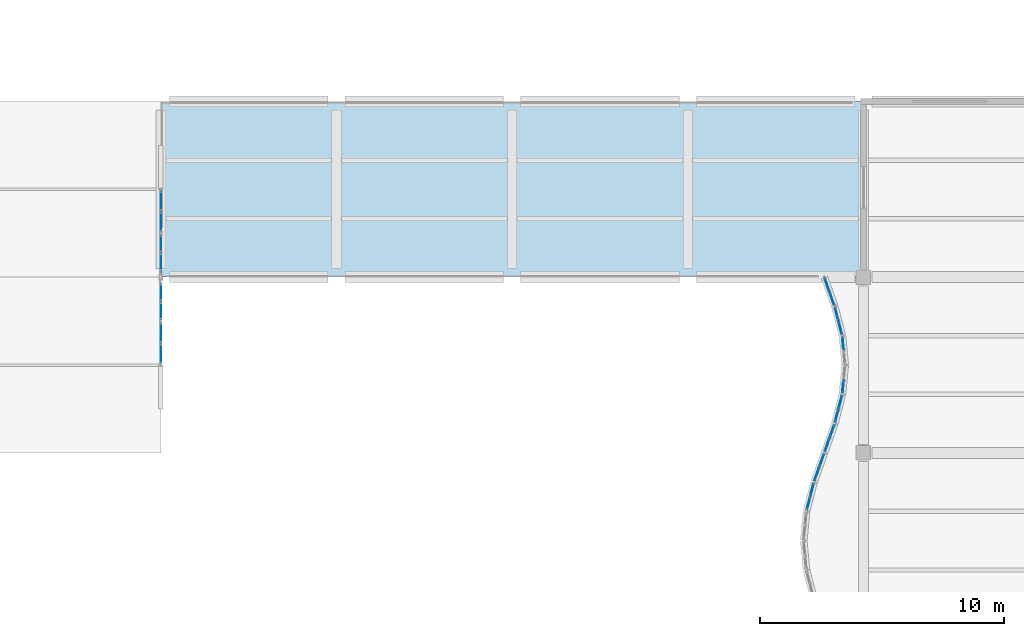
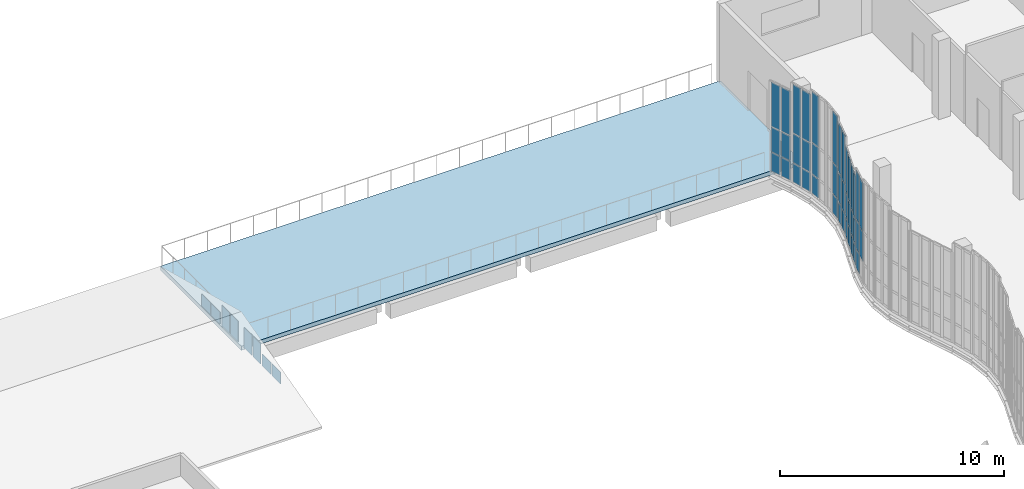
# One storey, part 74 of 105: 49 plates, 1 slab, 12 elements without a shape of their own.
"""IFC4 building model written with IfcOpenShell, lengths in metres."""

from ifc_helpers import new_model, si_unit, direction, frame, origin, origin_2d, place, context, subcontext, project, spatial, polyline, rectangle, outline, extrude, material, layer, layer_set, type_object, element, aggregate, save


model = new_model("IFC4")

# Units and contexts
model_context = context("Model", 3, precision=1e-05, world=origin(), true_north=direction((0.0, 1.0)))
body_context = subcontext(model_context, "Body", "Model", "MODEL_VIEW")
ifc_project = project(units=[si_unit("LENGTHUNIT", "METRE"), si_unit("AREAUNIT", "SQUARE_METRE"), si_unit("VOLUMEUNIT", "CUBIC_METRE"), si_unit("PLANEANGLEUNIT", "RADIAN"), si_unit("MASSUNIT", "GRAM", prefix="KILO"), si_unit("THERMODYNAMICTEMPERATUREUNIT", "KELVIN"), si_unit("POWERUNIT", "WATT")], contexts=[model_context])

# Site, building, storey
site_placement = place(None, origin())
site = spatial("IfcSite", under=ifc_project, at=site_placement, CompositionType="ELEMENT")
building_placement = place(site_placement, origin())
building = spatial("IfcBuilding", under=site, at=building_placement, Name="Kaldorven Railside Theatre", CompositionType="ELEMENT")
storey_placement = place(building_placement, frame((0.0, 0.0, 9.89990234375)))
storey = spatial("IfcBuildingStorey", under=building, at=storey_placement, Name="L02", CompositionType="ELEMENT", Elevation=9.89990234375)

# Curtain wall, plates
ifc_material_1 = material(Name="Low-E laminated solar-control glass", Category="glass")
ifc_layer_1 = layer(ifc_material_1, 0.159912109375, Name="Low-E laminated solar-control glass")
ifc_layer_set_1 = layer_set([ifc_layer_1], Name="Low-E laminated solar-control glass")
curtain_wall_type_1 = type_object("IfcCurtainWallType", Name="CWT-23", PredefinedType="USERDEFINED", material=ifc_layer_set_1)
curtain_wall_1_placement = place(storey_placement, origin())
curtain_wall_1 = element("IfcCurtainWall", 1, at=curtain_wall_1_placement, inside=storey, type_object=curtain_wall_type_1, Name="Sinusoidal Fluted Curtain Wall CW-L02-W17", ObjectType="FLUTED GLAZING", PredefinedType="USERDEFINED")
ifc_layer_2 = layer(ifc_material_1, 0.035888671875, Name="Low-E laminated solar-control glass")
ifc_layer_set_2 = layer_set([ifc_layer_2], Name="Low-E laminated solar-control glass")
plate_type_1 = type_object("IfcPlateType", Name="CWP-CREST36", PredefinedType="CURTAIN_PANEL", material=ifc_layer_set_2)
plate_1_placement = place(storey_placement, frame((70.546630859375, 60.3193359375, 1.1298828125), z_axis=(0.0, 0.0, 1.0), x_axis=(0.250953760326, 0.967999075505, 0.0)))
plate_1 = element("IfcPlate", 2, at=plate_1_placement, type_object=plate_type_1, Name="CW-L02-W17 panel 1.2", PredefinedType="CURTAIN_PANEL", context=body_context, shape_type="SweptSolid", body=[
    extrude(rectangle(XDim=0.499755859375, YDim=0.035888671875, at=origin_2d()), origin(), (0.0, 0.0, 1.0), 1.550048828125),
])
plate_2_placement = place(storey_placement, frame((70.546630859375, 60.3193359375, 2.739990234375), z_axis=(0.0, 0.0, 1.0), x_axis=(0.250953760326, 0.967999075505, 0.0)))
plate_2 = element("IfcPlate", 3, at=plate_2_placement, type_object=plate_type_1, Name="CW-L02-W17 panel 1.3", PredefinedType="CURTAIN_PANEL", context=body_context, shape_type="SweptSolid", body=[
    extrude(rectangle(XDim=0.499755859375, YDim=0.035888671875, at=origin_2d()), origin(), (0.0, 0.0, 1.0), 2.6201171875),
])
plate_3_placement = place(storey_placement, frame((70.692138671875, 60.880615234375, 0.06005859375), z_axis=(0.0, 0.0, 1.0), x_axis=(0.250953760326, 0.967999075505, 0.0)))
plate_3 = element("IfcPlate", 4, at=plate_3_placement, type_object=plate_type_1, Name="CW-L02-W17 panel 2.1", PredefinedType="CURTAIN_PANEL", context=body_context, shape_type="SweptSolid", body=[
    extrude(rectangle(XDim=0.499755859375, YDim=0.035888671875, at=origin_2d()), origin(), (0.0, 0.0, 1.0), 1.010009765625),
])
plate_4_placement = place(storey_placement, frame((70.692138671875, 60.880615234375, 1.1298828125), z_axis=(0.0, 0.0, 1.0), x_axis=(0.250953760326, 0.967999075505, 0.0)))
plate_4 = element("IfcPlate", 5, at=plate_4_placement, type_object=plate_type_1, Name="CW-L02-W17 panel 2.2", PredefinedType="CURTAIN_PANEL", context=body_context, shape_type="SweptSolid", body=[
    extrude(rectangle(XDim=0.499755859375, YDim=0.035888671875, at=origin_2d()), origin(), (0.0, 0.0, 1.0), 1.550048828125),
])
plate_5_placement = place(storey_placement, frame((70.692138671875, 60.880615234375, 2.739990234375), z_axis=(0.0, 0.0, 1.0), x_axis=(0.250953760326, 0.967999075505, 0.0)))
plate_5 = element("IfcPlate", 6, at=plate_5_placement, type_object=plate_type_1, Name="CW-L02-W17 panel 2.3", PredefinedType="CURTAIN_PANEL", context=body_context, shape_type="SweptSolid", body=[
    extrude(rectangle(XDim=0.499755859375, YDim=0.035888671875, at=origin_2d()), origin(), (0.0, 0.0, 1.0), 2.6201171875),
])
aggregate(curtain_wall_1, [plate_1, plate_2, plate_3, plate_4, plate_5])

ifc_layer_3 = layer(ifc_material_1, 0.159912109375, Name="Low-E laminated solar-control glass")
ifc_layer_set_3 = layer_set([ifc_layer_3], Name="Low-E laminated solar-control glass")
curtain_wall_type_2 = type_object("IfcCurtainWallType", Name="CWT-22", PredefinedType="USERDEFINED", material=ifc_layer_set_3)
curtain_wall_2_placement = place(storey_placement, origin())
curtain_wall_2 = element("IfcCurtainWall", 7, at=curtain_wall_2_placement, inside=storey, type_object=curtain_wall_type_2, Name="Sinusoidal Fluted Curtain Wall CW-L02-W18", ObjectType="FLUTED GLAZING", PredefinedType="USERDEFINED")
plate_6_placement = place(storey_placement, frame((70.887939453125, 61.518798828125, 0.06005859375), z_axis=(0.0, 0.0, 1.0), x_axis=(0.33384714225, 0.942627225159, 0.0)))
plate_6 = element("IfcPlate", 8, at=plate_6_placement, type_object=plate_type_1, Name="CW-L02-W18 panel 1.1", PredefinedType="CURTAIN_PANEL", context=body_context, shape_type="SweptSolid", body=[
    extrude(rectangle(XDim=0.5166015625, YDim=0.035888671875, at=origin_2d()), origin(), (0.0, 0.0, 1.0), 1.010009765625),
])
plate_7_placement = place(storey_placement, frame((70.887939453125, 61.518798828125, 1.130126953125), z_axis=(0.0, 0.0, 1.0), x_axis=(0.33384714225, 0.942627225159, 0.0)))
plate_7 = element("IfcPlate", 9, at=plate_7_placement, type_object=plate_type_1, Name="CW-L02-W18 panel 1.2", PredefinedType="CURTAIN_PANEL", context=body_context, shape_type="SweptSolid", body=[
    extrude(rectangle(XDim=0.5166015625, YDim=0.035888671875, at=origin_2d()), origin(), (0.0, 0.0, 1.0), 1.31494140625),
])
plate_8_placement = place(storey_placement, frame((70.887939453125, 61.518798828125, 2.5048828125), z_axis=(0.0, 0.0, 1.0), x_axis=(0.33384714225, 0.942627225159, 0.0)))
plate_8 = element("IfcPlate", 10, at=plate_8_placement, type_object=plate_type_1, Name="CW-L02-W18 panel 1.3", PredefinedType="CURTAIN_PANEL", context=body_context, shape_type="SweptSolid", body=[
    extrude(rectangle(XDim=0.5166015625, YDim=0.035888671875, at=origin_2d()), origin(), (0.0, 0.0, 1.0), 2.385009765625),
])
plate_9_placement = place(storey_placement, frame((71.087158203125, 62.0810546875, 0.06005859375), z_axis=(0.0, 0.0, 1.0), x_axis=(0.33384714225, 0.942627225159, 0.0)))
plate_9 = element("IfcPlate", 11, at=plate_9_placement, type_object=plate_type_1, Name="CW-L02-W18 panel 2.1", PredefinedType="CURTAIN_PANEL", context=body_context, shape_type="SweptSolid", body=[
    extrude(rectangle(XDim=0.5166015625, YDim=0.035888671875, at=origin_2d()), origin(), (0.0, 0.0, 1.0), 1.010009765625),
])
plate_10_placement = place(storey_placement, frame((71.087158203125, 62.0810546875, 1.130126953125), z_axis=(0.0, 0.0, 1.0), x_axis=(0.33384714225, 0.942627225159, 0.0)))
plate_10 = element("IfcPlate", 12, at=plate_10_placement, type_object=plate_type_1, Name="CW-L02-W18 panel 2.2", PredefinedType="CURTAIN_PANEL", context=body_context, shape_type="SweptSolid", body=[
    extrude(rectangle(XDim=0.5166015625, YDim=0.035888671875, at=origin_2d()), origin(), (0.0, 0.0, 1.0), 1.31494140625),
])
plate_11_placement = place(storey_placement, frame((71.087158203125, 62.0810546875, 2.5048828125), z_axis=(0.0, 0.0, 1.0), x_axis=(0.33384714225, 0.942627225159, 0.0)))
plate_11 = element("IfcPlate", 13, at=plate_11_placement, type_object=plate_type_1, Name="CW-L02-W18 panel 2.3", PredefinedType="CURTAIN_PANEL", context=body_context, shape_type="SweptSolid", body=[
    extrude(rectangle(XDim=0.5166015625, YDim=0.035888671875, at=origin_2d()), origin(), (0.0, 0.0, 1.0), 2.385009765625),
])
aggregate(curtain_wall_2, [plate_6, plate_7, plate_8, plate_9, plate_10, plate_11])

curtain_wall_3_placement = place(storey_placement, origin())
curtain_wall_3 = element("IfcCurtainWall", 14, at=curtain_wall_3_placement, inside=storey, type_object=curtain_wall_type_2, Name="Sinusoidal Fluted Curtain Wall CW-L02-W19", ObjectType="FLUTED GLAZING", PredefinedType="USERDEFINED")
plate_12_placement = place(storey_placement, frame((71.31298828125, 62.71875, 0.06005859375), z_axis=(0.0, 0.0, 1.0), x_axis=(0.33384714225, 0.942627225159, 0.0)))
plate_12 = element("IfcPlate", 15, at=plate_12_placement, type_object=plate_type_1, Name="CW-L02-W19 panel 1.1", PredefinedType="CURTAIN_PANEL", context=body_context, shape_type="SweptSolid", body=[
    extrude(rectangle(XDim=0.5166015625, YDim=0.035888671875, at=origin_2d()), origin(), (0.0, 0.0, 1.0), 1.010009765625),
])
plate_13_placement = place(storey_placement, frame((71.31298828125, 62.71875, 1.130126953125), z_axis=(0.0, 0.0, 1.0), x_axis=(0.33384714225, 0.942627225159, 0.0)))
plate_13 = element("IfcPlate", 16, at=plate_13_placement, type_object=plate_type_1, Name="CW-L02-W19 panel 1.2", PredefinedType="CURTAIN_PANEL", context=body_context, shape_type="SweptSolid", body=[
    extrude(rectangle(XDim=0.5166015625, YDim=0.035888671875, at=origin_2d()), origin(), (0.0, 0.0, 1.0), 1.31494140625),
])
plate_14_placement = place(storey_placement, frame((71.31298828125, 62.71875, 2.5048828125), z_axis=(0.0, 0.0, 1.0), x_axis=(0.33384714225, 0.942627225159, 0.0)))
plate_14 = element("IfcPlate", 17, at=plate_14_placement, type_object=plate_type_1, Name="CW-L02-W19 panel 1.3", PredefinedType="CURTAIN_PANEL", context=body_context, shape_type="SweptSolid", body=[
    extrude(rectangle(XDim=0.5166015625, YDim=0.035888671875, at=origin_2d()), origin(), (0.0, 0.0, 1.0), 2.385009765625),
])
plate_15_placement = place(storey_placement, frame((71.511962890625, 63.28125, 0.06005859375), z_axis=(0.0, 0.0, 1.0), x_axis=(0.33384714225, 0.942627225159, 0.0)))
plate_15 = element("IfcPlate", 18, at=plate_15_placement, type_object=plate_type_1, Name="CW-L02-W19 panel 2.1", PredefinedType="CURTAIN_PANEL", context=body_context, shape_type="SweptSolid", body=[
    extrude(rectangle(XDim=0.5166015625, YDim=0.035888671875, at=origin_2d()), origin(), (0.0, 0.0, 1.0), 1.010009765625),
])
plate_16_placement = place(storey_placement, frame((71.511962890625, 63.28125, 1.130126953125), z_axis=(0.0, 0.0, 1.0), x_axis=(0.33384714225, 0.942627225159, 0.0)))
plate_16 = element("IfcPlate", 19, at=plate_16_placement, type_object=plate_type_1, Name="CW-L02-W19 panel 2.2", PredefinedType="CURTAIN_PANEL", context=body_context, shape_type="SweptSolid", body=[
    extrude(rectangle(XDim=0.5166015625, YDim=0.035888671875, at=origin_2d()), origin(), (0.0, 0.0, 1.0), 1.31494140625),
])
plate_17_placement = place(storey_placement, frame((71.511962890625, 63.28125, 2.5048828125), z_axis=(0.0, 0.0, 1.0), x_axis=(0.33384714225, 0.942627225159, 0.0)))
plate_17 = element("IfcPlate", 20, at=plate_17_placement, type_object=plate_type_1, Name="CW-L02-W19 panel 2.3", PredefinedType="CURTAIN_PANEL", context=body_context, shape_type="SweptSolid", body=[
    extrude(rectangle(XDim=0.5166015625, YDim=0.035888671875, at=origin_2d()), origin(), (0.0, 0.0, 1.0), 2.385009765625),
])
aggregate(curtain_wall_3, [plate_12, plate_13, plate_14, plate_15, plate_16, plate_17])

curtain_wall_4_placement = place(storey_placement, origin())
curtain_wall_4 = element("IfcCurtainWall", 21, at=curtain_wall_4_placement, inside=storey, type_object=curtain_wall_type_1, Name="Sinusoidal Fluted Curtain Wall CW-L02-W20", ObjectType="FLUTED GLAZING", PredefinedType="USERDEFINED")
plate_18_placement = place(storey_placement, frame((71.707763671875, 63.91943359375, 0.06005859375), z_axis=(0.0, 0.0, 1.0), x_axis=(0.250953760326, 0.967999075505, 0.0)))
plate_18 = element("IfcPlate", 22, at=plate_18_placement, type_object=plate_type_1, Name="CW-L02-W20 panel 1.1", PredefinedType="CURTAIN_PANEL", context=body_context, shape_type="SweptSolid", body=[
    extrude(rectangle(XDim=0.499755859375, YDim=0.035888671875, at=origin_2d()), origin(), (0.0, 0.0, 1.0), 1.010009765625),
])
plate_19_placement = place(storey_placement, frame((71.707763671875, 63.91943359375, 1.1298828125), z_axis=(0.0, 0.0, 1.0), x_axis=(0.250953760326, 0.967999075505, 0.0)))
plate_19 = element("IfcPlate", 23, at=plate_19_placement, type_object=plate_type_1, Name="CW-L02-W20 panel 1.2", PredefinedType="CURTAIN_PANEL", context=body_context, shape_type="SweptSolid", body=[
    extrude(rectangle(XDim=0.499755859375, YDim=0.035888671875, at=origin_2d()), origin(), (0.0, 0.0, 1.0), 1.550048828125),
])
plate_20_placement = place(storey_placement, frame((71.707763671875, 63.91943359375, 2.739990234375), z_axis=(0.0, 0.0, 1.0), x_axis=(0.250953760326, 0.967999075505, 0.0)))
plate_20 = element("IfcPlate", 24, at=plate_20_placement, type_object=plate_type_1, Name="CW-L02-W20 panel 1.3", PredefinedType="CURTAIN_PANEL", context=body_context, shape_type="SweptSolid", body=[
    extrude(rectangle(XDim=0.499755859375, YDim=0.035888671875, at=origin_2d()), origin(), (0.0, 0.0, 1.0), 2.6201171875),
])
plate_21_placement = place(storey_placement, frame((71.853271484375, 64.480712890625, 0.06005859375), z_axis=(0.0, 0.0, 1.0), x_axis=(0.250953760326, 0.967999075505, 0.0)))
plate_21 = element("IfcPlate", 25, at=plate_21_placement, type_object=plate_type_1, Name="CW-L02-W20 panel 2.1", PredefinedType="CURTAIN_PANEL", context=body_context, shape_type="SweptSolid", body=[
    extrude(rectangle(XDim=0.499755859375, YDim=0.035888671875, at=origin_2d()), origin(), (0.0, 0.0, 1.0), 1.010009765625),
])
plate_22_placement = place(storey_placement, frame((71.853271484375, 64.480712890625, 1.1298828125), z_axis=(0.0, 0.0, 1.0), x_axis=(0.250953760326, 0.967999075505, 0.0)))
plate_22 = element("IfcPlate", 26, at=plate_22_placement, type_object=plate_type_1, Name="CW-L02-W20 panel 2.2", PredefinedType="CURTAIN_PANEL", context=body_context, shape_type="SweptSolid", body=[
    extrude(rectangle(XDim=0.499755859375, YDim=0.035888671875, at=origin_2d()), origin(), (0.0, 0.0, 1.0), 1.550048828125),
])
plate_23_placement = place(storey_placement, frame((71.853271484375, 64.480712890625, 2.739990234375), z_axis=(0.0, 0.0, 1.0), x_axis=(0.250953760326, 0.967999075505, 0.0)))
plate_23 = element("IfcPlate", 27, at=plate_23_placement, type_object=plate_type_1, Name="CW-L02-W20 panel 2.3", PredefinedType="CURTAIN_PANEL", context=body_context, shape_type="SweptSolid", body=[
    extrude(rectangle(XDim=0.499755859375, YDim=0.035888671875, at=origin_2d()), origin(), (0.0, 0.0, 1.0), 2.6201171875),
])
aggregate(curtain_wall_4, [plate_18, plate_19, plate_20, plate_21, plate_22, plate_23])

ifc_layer_4 = layer(ifc_material_1, 0.159912109375, Name="Low-E laminated solar-control glass")
ifc_layer_set_4 = layer_set([ifc_layer_4], Name="Low-E laminated solar-control glass")
curtain_wall_type_3 = type_object("IfcCurtainWallType", Name="CWT-24", PredefinedType="USERDEFINED", material=ifc_layer_set_4)
curtain_wall_5_placement = place(storey_placement, origin())
curtain_wall_5 = element("IfcCurtainWall", 28, at=curtain_wall_5_placement, inside=storey, type_object=curtain_wall_type_3, Name="Sinusoidal Fluted Curtain Wall CW-L02-W21", ObjectType="FLUTED GLAZING", PredefinedType="USERDEFINED")
plate_24_placement = place(storey_placement, frame((71.966552734375, 65.119873046875, 0.06005859375), z_axis=(0.0, 0.0, 1.0), x_axis=(0.094491973758, 0.995525623425, 0.0)))
plate_24 = element("IfcPlate", 29, at=plate_24_placement, type_object=plate_type_1, Name="CW-L02-W21 panel 1.1", PredefinedType="CURTAIN_PANEL", context=body_context, shape_type="SweptSolid", body=[
    extrude(rectangle(XDim=0.482666015625, YDim=0.035888671875, at=origin_2d()), origin(), (0.0, 0.0, 1.0), 1.010009765625),
])
plate_25_placement = place(storey_placement, frame((71.966552734375, 65.119873046875, 1.13037109375), z_axis=(0.0, 0.0, 1.0), x_axis=(0.094491973758, 0.995525623425, 0.0)))
plate_25 = element("IfcPlate", 30, at=plate_25_placement, type_object=plate_type_1, Name="CW-L02-W21 panel 1.2", PredefinedType="CURTAIN_PANEL", context=body_context, shape_type="SweptSolid", body=[
    extrude(rectangle(XDim=0.482666015625, YDim=0.035888671875, at=origin_2d()), origin(), (0.0, 0.0, 1.0), 1.659912109375),
])
plate_26_placement = place(storey_placement, frame((71.966552734375, 65.119873046875, 2.85009765625), z_axis=(0.0, 0.0, 1.0), x_axis=(0.094491973758, 0.995525623425, 0.0)))
plate_26 = element("IfcPlate", 31, at=plate_26_placement, type_object=plate_type_1, Name="CW-L02-W21 panel 1.3", PredefinedType="CURTAIN_PANEL", context=body_context, shape_type="SweptSolid", body=[
    extrude(rectangle(XDim=0.482666015625, YDim=0.035888671875, at=origin_2d()), origin(), (0.0, 0.0, 1.0), 2.72998046875),
])
aggregate(curtain_wall_5, [plate_24, plate_25, plate_26])

curtain_wall_6_placement = place(storey_placement, origin())
curtain_wall_6 = element("IfcCurtainWall", 32, at=curtain_wall_6_placement, inside=storey, type_object=curtain_wall_type_3, Name="Sinusoidal Fluted Curtain Wall CW-L02-W22", ObjectType="FLUTED GLAZING", PredefinedType="USERDEFINED")
plate_27_placement = place(storey_placement, frame((71.966552734375, 66.880126953125, 0.06005859375), z_axis=(0.0, 0.0, 1.0), x_axis=(-0.094491973758, 0.995525623425, 0.0)))
plate_27 = element("IfcPlate", 33, at=plate_27_placement, type_object=plate_type_1, Name="CW-L02-W22 panel 2.1", PredefinedType="CURTAIN_PANEL", context=body_context, shape_type="SweptSolid", body=[
    extrude(rectangle(XDim=0.482666015625, YDim=0.035888671875, at=origin_2d()), origin(), (0.0, 0.0, 1.0), 1.010009765625),
])
plate_28_placement = place(storey_placement, frame((71.966552734375, 66.880126953125, 1.13037109375), z_axis=(0.0, 0.0, 1.0), x_axis=(-0.094491973758, 0.995525623425, 0.0)))
plate_28 = element("IfcPlate", 34, at=plate_28_placement, type_object=plate_type_1, Name="CW-L02-W22 panel 2.2", PredefinedType="CURTAIN_PANEL", context=body_context, shape_type="SweptSolid", body=[
    extrude(rectangle(XDim=0.482666015625, YDim=0.035888671875, at=origin_2d()), origin(), (0.0, 0.0, 1.0), 1.659912109375),
])
plate_29_placement = place(storey_placement, frame((71.966552734375, 66.880126953125, 2.85009765625), z_axis=(0.0, 0.0, 1.0), x_axis=(-0.094491973758, 0.995525623425, 0.0)))
plate_29 = element("IfcPlate", 35, at=plate_29_placement, type_object=plate_type_1, Name="CW-L02-W22 panel 2.3", PredefinedType="CURTAIN_PANEL", context=body_context, shape_type="SweptSolid", body=[
    extrude(rectangle(XDim=0.482666015625, YDim=0.035888671875, at=origin_2d()), origin(), (0.0, 0.0, 1.0), 2.72998046875),
])
aggregate(curtain_wall_6, [plate_27, plate_28, plate_29])

curtain_wall_7_placement = place(storey_placement, origin())
curtain_wall_7 = element("IfcCurtainWall", 36, at=curtain_wall_7_placement, inside=storey, type_object=curtain_wall_type_1, Name="Sinusoidal Fluted Curtain Wall CW-L02-W23", ObjectType="FLUTED GLAZING", PredefinedType="USERDEFINED")
plate_30_placement = place(storey_placement, frame((71.853271484375, 67.519287109375, 0.06005859375), z_axis=(0.0, 0.0, 1.0), x_axis=(-0.250953760326, 0.967999075505, 0.0)))
plate_30 = element("IfcPlate", 37, at=plate_30_placement, type_object=plate_type_1, Name="CW-L02-W23 panel 1.1", PredefinedType="CURTAIN_PANEL", context=body_context, shape_type="SweptSolid", body=[
    extrude(rectangle(XDim=0.499755859375, YDim=0.035888671875, at=origin_2d()), origin(), (0.0, 0.0, 1.0), 1.010009765625),
])
plate_31_placement = place(storey_placement, frame((71.853271484375, 67.519287109375, 1.1298828125), z_axis=(0.0, 0.0, 1.0), x_axis=(-0.250953760326, 0.967999075505, 0.0)))
plate_31 = element("IfcPlate", 38, at=plate_31_placement, type_object=plate_type_1, Name="CW-L02-W23 panel 1.2", PredefinedType="CURTAIN_PANEL", context=body_context, shape_type="SweptSolid", body=[
    extrude(rectangle(XDim=0.499755859375, YDim=0.035888671875, at=origin_2d()), origin(), (0.0, 0.0, 1.0), 1.550048828125),
])
plate_32_placement = place(storey_placement, frame((71.853271484375, 67.519287109375, 2.739990234375), z_axis=(0.0, 0.0, 1.0), x_axis=(-0.250953760326, 0.967999075505, 0.0)))
plate_32 = element("IfcPlate", 39, at=plate_32_placement, type_object=plate_type_1, Name="CW-L02-W23 panel 1.3", PredefinedType="CURTAIN_PANEL", context=body_context, shape_type="SweptSolid", body=[
    extrude(rectangle(XDim=0.499755859375, YDim=0.035888671875, at=origin_2d()), origin(), (0.0, 0.0, 1.0), 2.6201171875),
])
plate_33_placement = place(storey_placement, frame((71.707763671875, 68.08056640625, 0.06005859375), z_axis=(0.0, 0.0, 1.0), x_axis=(-0.250953760326, 0.967999075505, 0.0)))
plate_33 = element("IfcPlate", 40, at=plate_33_placement, type_object=plate_type_1, Name="CW-L02-W23 panel 2.1", PredefinedType="CURTAIN_PANEL", context=body_context, shape_type="SweptSolid", body=[
    extrude(rectangle(XDim=0.499755859375, YDim=0.035888671875, at=origin_2d()), origin(), (0.0, 0.0, 1.0), 1.010009765625),
])
plate_34_placement = place(storey_placement, frame((71.707763671875, 68.08056640625, 1.1298828125), z_axis=(0.0, 0.0, 1.0), x_axis=(-0.250953760326, 0.967999075505, 0.0)))
plate_34 = element("IfcPlate", 41, at=plate_34_placement, type_object=plate_type_1, Name="CW-L02-W23 panel 2.2", PredefinedType="CURTAIN_PANEL", context=body_context, shape_type="SweptSolid", body=[
    extrude(rectangle(XDim=0.499755859375, YDim=0.035888671875, at=origin_2d()), origin(), (0.0, 0.0, 1.0), 1.550048828125),
])
plate_35_placement = place(storey_placement, frame((71.707763671875, 68.08056640625, 2.739990234375), z_axis=(0.0, 0.0, 1.0), x_axis=(-0.250953760326, 0.967999075505, 0.0)))
plate_35 = element("IfcPlate", 42, at=plate_35_placement, type_object=plate_type_1, Name="CW-L02-W23 panel 2.3", PredefinedType="CURTAIN_PANEL", context=body_context, shape_type="SweptSolid", body=[
    extrude(rectangle(XDim=0.499755859375, YDim=0.035888671875, at=origin_2d()), origin(), (0.0, 0.0, 1.0), 2.6201171875),
])
aggregate(curtain_wall_7, [plate_30, plate_31, plate_32, plate_33, plate_34, plate_35])

curtain_wall_8_placement = place(storey_placement, origin())
curtain_wall_8 = element("IfcCurtainWall", 43, at=curtain_wall_8_placement, inside=storey, type_object=curtain_wall_type_2, Name="Sinusoidal Fluted Curtain Wall CW-L02-W24", ObjectType="FLUTED GLAZING", PredefinedType="USERDEFINED")
plate_36_placement = place(storey_placement, frame((71.511962890625, 68.71875, 0.06005859375), z_axis=(0.0, 0.0, 1.0), x_axis=(-0.33384714225, 0.942627225159, 0.0)))
plate_36 = element("IfcPlate", 44, at=plate_36_placement, type_object=plate_type_1, Name="CW-L02-W24 panel 1.1", PredefinedType="CURTAIN_PANEL", context=body_context, shape_type="SweptSolid", body=[
    extrude(rectangle(XDim=0.5166015625, YDim=0.035888671875, at=origin_2d()), origin(), (0.0, 0.0, 1.0), 1.010009765625),
])
plate_37_placement = place(storey_placement, frame((71.511962890625, 68.71875, 1.130126953125), z_axis=(0.0, 0.0, 1.0), x_axis=(-0.33384714225, 0.942627225159, 0.0)))
plate_37 = element("IfcPlate", 45, at=plate_37_placement, type_object=plate_type_1, Name="CW-L02-W24 panel 1.2", PredefinedType="CURTAIN_PANEL", context=body_context, shape_type="SweptSolid", body=[
    extrude(rectangle(XDim=0.5166015625, YDim=0.035888671875, at=origin_2d()), origin(), (0.0, 0.0, 1.0), 1.31494140625),
])
plate_38_placement = place(storey_placement, frame((71.511962890625, 68.71875, 2.5048828125), z_axis=(0.0, 0.0, 1.0), x_axis=(-0.33384714225, 0.942627225159, 0.0)))
plate_38 = element("IfcPlate", 46, at=plate_38_placement, type_object=plate_type_1, Name="CW-L02-W24 panel 1.3", PredefinedType="CURTAIN_PANEL", context=body_context, shape_type="SweptSolid", body=[
    extrude(rectangle(XDim=0.5166015625, YDim=0.035888671875, at=origin_2d()), origin(), (0.0, 0.0, 1.0), 2.385009765625),
])
plate_39_placement = place(storey_placement, frame((71.31298828125, 69.28125, 0.06005859375), z_axis=(0.0, 0.0, 1.0), x_axis=(-0.33384714225, 0.942627225159, 0.0)))
plate_39 = element("IfcPlate", 47, at=plate_39_placement, type_object=plate_type_1, Name="CW-L02-W24 panel 2.1", PredefinedType="CURTAIN_PANEL", context=body_context, shape_type="SweptSolid", body=[
    extrude(rectangle(XDim=0.5166015625, YDim=0.035888671875, at=origin_2d()), origin(), (0.0, 0.0, 1.0), 1.010009765625),
])
plate_40_placement = place(storey_placement, frame((71.31298828125, 69.28125, 1.130126953125), z_axis=(0.0, 0.0, 1.0), x_axis=(-0.33384714225, 0.942627225159, 0.0)))
plate_40 = element("IfcPlate", 48, at=plate_40_placement, type_object=plate_type_1, Name="CW-L02-W24 panel 2.2", PredefinedType="CURTAIN_PANEL", context=body_context, shape_type="SweptSolid", body=[
    extrude(rectangle(XDim=0.5166015625, YDim=0.035888671875, at=origin_2d()), origin(), (0.0, 0.0, 1.0), 1.31494140625),
])
plate_41_placement = place(storey_placement, frame((71.31298828125, 69.28125, 2.5048828125), z_axis=(0.0, 0.0, 1.0), x_axis=(-0.33384714225, 0.942627225159, 0.0)))
plate_41 = element("IfcPlate", 49, at=plate_41_placement, type_object=plate_type_1, Name="CW-L02-W24 panel 2.3", PredefinedType="CURTAIN_PANEL", context=body_context, shape_type="SweptSolid", body=[
    extrude(rectangle(XDim=0.5166015625, YDim=0.035888671875, at=origin_2d()), origin(), (0.0, 0.0, 1.0), 2.385009765625),
])
aggregate(curtain_wall_8, [plate_36, plate_37, plate_38, plate_39, plate_40, plate_41])

ifc_layer_5 = layer(ifc_material_1, 0.159912109375, Name="Low-E laminated solar-control glass")
ifc_layer_set_5 = layer_set([ifc_layer_5], Name="Low-E laminated solar-control glass")
curtain_wall_type_4 = type_object("IfcCurtainWallType", Name="CWT-60", PredefinedType="USERDEFINED", material=ifc_layer_set_5)
curtain_wall_9_placement = place(storey_placement, origin())
curtain_wall_9 = element("IfcCurtainWall", 50, at=curtain_wall_9_placement, inside=storey, type_object=curtain_wall_type_4, Name="Black-Box East Gable Clerestory CWG-146", ObjectType="FLUTED GLAZING", PredefinedType="USERDEFINED")
ifc_layer_6 = layer(ifc_material_1, 0.028076171875, Name="Low-E laminated solar-control glass")
ifc_layer_set_6 = layer_set([ifc_layer_6], Name="Low-E laminated solar-control glass")
plate_type_2 = type_object("IfcPlateType", Name="CWP-GLZ28", PredefinedType="CURTAIN_PANEL", material=ifc_layer_set_6)
plate_42_placement = place(storey_placement, frame((44.0, 66.469970703125, 0.080078125), z_axis=(0.0, 0.0, 1.0), x_axis=(0.0, 1.0, 0.0)))
plate_42 = element("IfcPlate", 51, at=plate_42_placement, type_object=plate_type_2, Name="CWG-146 panel 1.1", PredefinedType="CURTAIN_PANEL", context=body_context, shape_type="SweptSolid", body=[
    extrude(rectangle(XDim=0.780029296875, YDim=0.028076171875, at=origin_2d()), origin(), (0.0, 0.0, 1.0), 0.639892578125),
])
plate_43_placement = place(storey_placement, frame((44.0, 67.330078125, 0.080078125), z_axis=(0.0, 0.0, 1.0), x_axis=(0.0, 1.0, 0.0)))
plate_43 = element("IfcPlate", 52, at=plate_43_placement, type_object=plate_type_2, Name="CWG-146 panel 2.1", PredefinedType="CURTAIN_PANEL", context=body_context, shape_type="SweptSolid", body=[
    extrude(rectangle(XDim=0.780029296875, YDim=0.028076171875, at=origin_2d()), origin(), (0.0, 0.0, 1.0), 0.639892578125),
])
aggregate(curtain_wall_9, [plate_42, plate_43])

ifc_layer_7 = layer(ifc_material_1, 0.159912109375, Name="Low-E laminated solar-control glass")
ifc_layer_set_7 = layer_set([ifc_layer_7], Name="Low-E laminated solar-control glass")
curtain_wall_type_5 = type_object("IfcCurtainWallType", Name="CWT-68", PredefinedType="USERDEFINED", material=ifc_layer_set_7)
curtain_wall_10_placement = place(storey_placement, origin())
curtain_wall_10 = element("IfcCurtainWall", 53, at=curtain_wall_10_placement, inside=storey, type_object=curtain_wall_type_5, Name="Black-Box East Gable Clerestory CWG-147", ObjectType="FLUTED GLAZING", PredefinedType="USERDEFINED")
plate_44_placement = place(storey_placement, frame((44.0, 68.219970703125, 0.080078125), z_axis=(0.0, 0.0, 1.0), x_axis=(0.0, 1.0, 0.0)))
plate_44 = element("IfcPlate", 54, at=plate_44_placement, type_object=plate_type_2, Name="CWG-147 panel 1.1", PredefinedType="CURTAIN_PANEL", context=body_context, shape_type="SweptSolid", body=[
    extrude(rectangle(XDim=0.679931640625, YDim=0.028076171875, at=origin_2d()), origin(), (0.0, 0.0, 1.0), 1.1201171875),
])
plate_45_placement = place(storey_placement, frame((44.0, 68.97998046875, 0.080078125), z_axis=(0.0, 0.0, 1.0), x_axis=(0.0, 1.0, 0.0)))
plate_45 = element("IfcPlate", 55, at=plate_45_placement, type_object=plate_type_2, Name="CWG-147 panel 2.1", PredefinedType="CURTAIN_PANEL", context=body_context, shape_type="SweptSolid", body=[
    extrude(rectangle(XDim=0.679931640625, YDim=0.028076171875, at=origin_2d()), origin(), (0.0, 0.0, 1.0), 1.1201171875),
])
aggregate(curtain_wall_10, [plate_44, plate_45])

curtain_wall_11_placement = place(storey_placement, origin())
curtain_wall_11 = element("IfcCurtainWall", 56, at=curtain_wall_11_placement, inside=storey, type_object=curtain_wall_type_5, Name="Black-Box East Gable Clerestory CWG-148", ObjectType="FLUTED GLAZING", PredefinedType="USERDEFINED")
plate_46_placement = place(storey_placement, frame((44.0, 70.219970703125, 0.080078125), z_axis=(0.0, 0.0, 1.0), x_axis=(0.0, 1.0, 0.0)))
plate_46 = element("IfcPlate", 57, at=plate_46_placement, type_object=plate_type_2, Name="CWG-148 panel 1.1", PredefinedType="CURTAIN_PANEL", context=body_context, shape_type="SweptSolid", body=[
    extrude(rectangle(XDim=0.679931640625, YDim=0.028076171875, at=origin_2d()), origin(), (0.0, 0.0, 1.0), 1.1201171875),
])
plate_47_placement = place(storey_placement, frame((44.0, 70.97998046875, 0.080078125), z_axis=(0.0, 0.0, 1.0), x_axis=(0.0, 1.0, 0.0)))
plate_47 = element("IfcPlate", 58, at=plate_47_placement, type_object=plate_type_2, Name="CWG-148 panel 2.1", PredefinedType="CURTAIN_PANEL", context=body_context, shape_type="SweptSolid", body=[
    extrude(rectangle(XDim=0.679931640625, YDim=0.028076171875, at=origin_2d()), origin(), (0.0, 0.0, 1.0), 1.1201171875),
])
aggregate(curtain_wall_11, [plate_46, plate_47])

curtain_wall_12_placement = place(storey_placement, origin())
curtain_wall_12 = element("IfcCurtainWall", 59, at=curtain_wall_12_placement, inside=storey, type_object=curtain_wall_type_4, Name="Black-Box East Gable Clerestory CWG-149", ObjectType="FLUTED GLAZING", PredefinedType="USERDEFINED")
plate_48_placement = place(storey_placement, frame((44.0, 71.8701171875, 0.080078125), z_axis=(0.0, 0.0, 1.0), x_axis=(0.0, 1.0, 0.0)))
plate_48 = element("IfcPlate", 60, at=plate_48_placement, type_object=plate_type_2, Name="CWG-149 panel 1.1", PredefinedType="CURTAIN_PANEL", context=body_context, shape_type="SweptSolid", body=[
    extrude(rectangle(XDim=0.780029296875, YDim=0.028076171875, at=origin_2d()), origin(), (0.0, 0.0, 1.0), 0.639892578125),
])
plate_49_placement = place(storey_placement, frame((44.0, 72.72998046875, 0.080078125), z_axis=(0.0, 0.0, 1.0), x_axis=(0.0, 1.0, 0.0)))
plate_49 = element("IfcPlate", 61, at=plate_49_placement, type_object=plate_type_2, Name="CWG-149 panel 2.1", PredefinedType="CURTAIN_PANEL", context=body_context, shape_type="SweptSolid", body=[
    extrude(rectangle(XDim=0.780029296875, YDim=0.028076171875, at=origin_2d()), origin(), (0.0, 0.0, 1.0), 0.639892578125),
])
aggregate(curtain_wall_12, [plate_48, plate_49])

# Slab
ifc_material_2 = material(Name="Concrete C35/45", Category="concrete")
ifc_layer_8 = layer(ifc_material_2, 0.219970703125, Name="Concrete C35/45")
ifc_layer_set_8 = layer_set([ifc_layer_8], Name="Concrete C35/45")
slab_type = type_object("IfcSlabType", Name="SLB-ESL-220", PredefinedType="FLOOR", material=ifc_layer_set_8)
slab_placement = place(storey_placement, frame((0.0, 0.0, -0.219970703125)))
element("IfcSlab", 62, at=slab_placement, inside=storey, type_object=slab_type, Name="L02 Floor Slab SL-L02-TER", PredefinedType="FLOOR", context=body_context, shape_type="SweptSolid", body=[
    extrude(outline(polyline([(44.0, 69.60009765625), (72.800048828125, 69.60009765625), (72.800048828125, 76.800048828125), (44.0, 76.800048828125), (44.0, 69.60009765625)])), origin(), (0.0, 0.0, 1.0), 0.219970703125),
])

save(model, "model.ifc")
